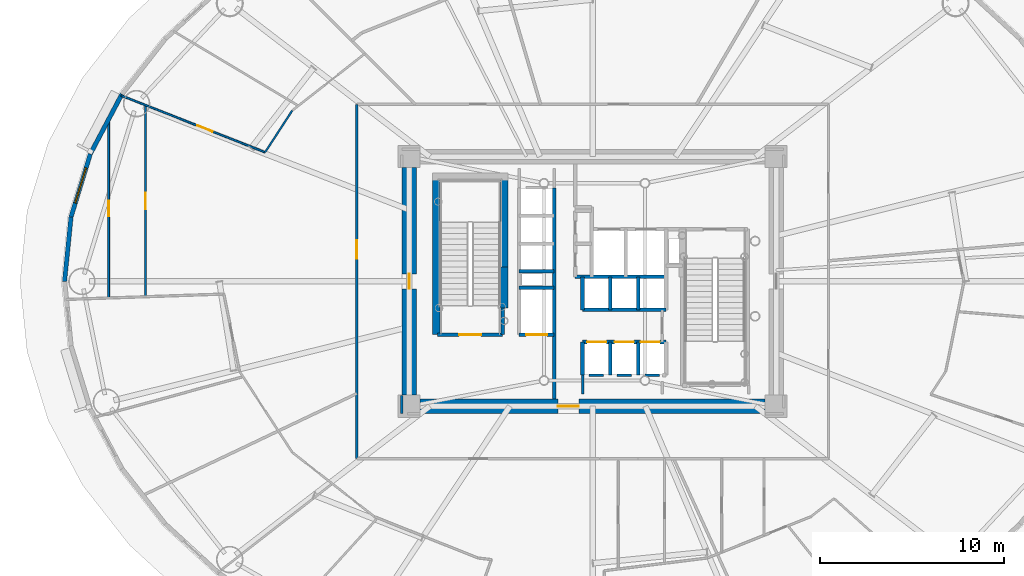
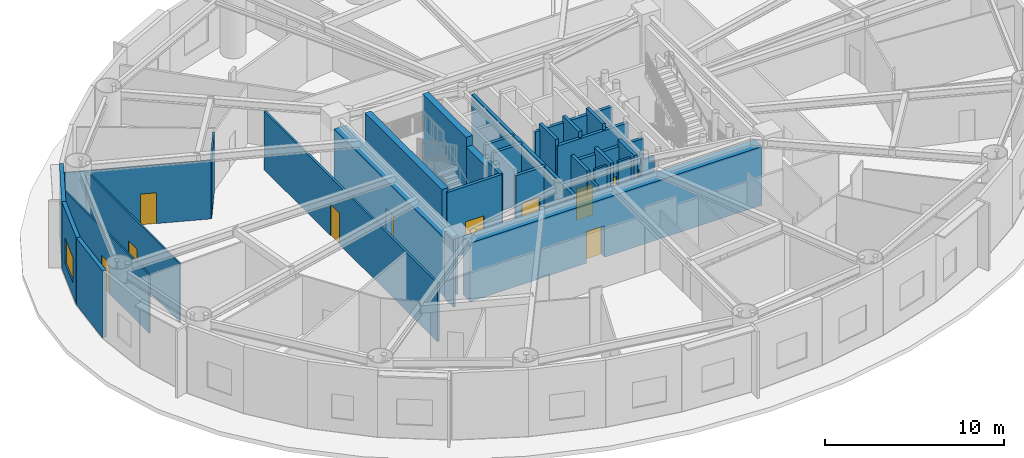
# One storey, part 10 of 19: 33 walls, 11 doors, 1 window, 12 openings.
"""IFC4 building model written with IfcOpenShell, lengths in metres."""

from ifc_helpers import new_model, si_unit, direction, frame, frame_2d, origin, origin_2d, place, context, subcontext, project, spatial, rectangle, extrude, source, transform, mapped, material, layer, layer_set, type_object, element, fill, save


model = new_model("IFC4")

# Units and contexts
model_context = context("Model", 3, precision=1e-05, world=origin(), true_north=direction((0.0, 1.0)))
body_context = subcontext(model_context, "Body", "Model", "MODEL_VIEW")
ifc_project = project(units=[si_unit("LENGTHUNIT", "METRE"), si_unit("AREAUNIT", "SQUARE_METRE"), si_unit("VOLUMEUNIT", "CUBIC_METRE"), si_unit("PLANEANGLEUNIT", "RADIAN"), si_unit("MASSUNIT", "GRAM", prefix="KILO")], contexts=[model_context])

# Site, building, storey
site_placement = place(None, origin())
site = spatial("IfcSite", under=ifc_project, at=site_placement, CompositionType="ELEMENT")
building_placement = place(site_placement, origin())
building = spatial("IfcBuilding", under=site, at=building_placement, Name="Linh Dai School and Residence Tower", CompositionType="ELEMENT")
storey_placement = place(building_placement, frame((0.0, 0.0, 92.39990234375)))
storey = spatial("IfcBuildingStorey", under=building, at=storey_placement, Name="L21", CompositionType="ELEMENT", Elevation=92.39990234375)

# Wall
ifc_material_1 = material(Name="Precast Concrete B45 (C35/45)", Category="concrete")
ifc_layer_1 = layer(ifc_material_1, 0.239990234375)
ifc_layer_set_1 = layer_set([ifc_layer_1], Name="Precast Concrete B45 (C35/45)")
wall_type_1 = type_object("IfcWallType", Name="EW-TC-240", PredefinedType="SOLIDWALL", material=ifc_layer_set_1)
wall_1_placement = place(storey_placement, frame((8.6298828125, 33.945068359375, 0.0), z_axis=(0.0, 0.0, 1.0), x_axis=(0.467614004126, 0.883932770716, 0.0)))
element("IfcWall", 1, at=wall_1_placement, inside=storey, type_object=wall_type_1, Name="L21 Terracotta Exterior Wall 18", PredefinedType="SOLIDWALL", context=body_context, shape_type="SweptSolid", body=[
    extrude(rectangle(XDim=3.688720703125, YDim=0.239990234375, at=frame_2d((1.84423828125, 0.0))), origin(), (0.0, 0.0, 1.0), 4.550048828125),
])

# Wall, opening, window
wall_2_placement = place(storey_placement, frame((7.578369140625, 30.515380859375, 0.0), z_axis=(0.0, 0.0, 1.0), x_axis=(0.293124431344, 0.956074300329, 0.0)))
wall_2 = element("IfcWall", 2, at=wall_2_placement, inside=storey, type_object=wall_type_1, Name="L21 Terracotta Exterior Wall 19", PredefinedType="SOLIDWALL", context=body_context, shape_type="SweptSolid", body=[
    extrude(rectangle(XDim=3.587158203125, YDim=0.239990234375, at=frame_2d((1.79345703125, 0.0))), origin(), (0.0, 0.0, 1.0), 4.550048828125),
])
opening_1_placement = place(wall_2_placement, frame((0.793701171875, 0.0, 0.89990234375)))
opening_1 = element("IfcOpeningElement", 3, at=opening_1_placement, cuts=wall_2, Name="Opening W1", PredefinedType="OPENING", context=body_context, shape_type="SweptSolid", body=[
    extrude(rectangle(XDim=2.0, YDim=1.75, at=origin_2d()), frame((1.0, 0.1298828125, 0.875), z_axis=(0.0, -1.0, 0.0), x_axis=(1.0, 0.0, 0.0)), (0.0, 0.0, 1.0), 0.260009765625),
])
ifc_material_2 = material(Name="Double Low-E Insulated Glazing", Category="glass")
window_type = type_object("IfcWindowType", Name="WN-RES-2000x1750", PartitioningType="DOUBLE_PANEL_VERTICAL", PredefinedType="WINDOW", material=ifc_material_2)
shared_shape_1 = source(origin(), body_context, "Body", "SweptSolid", [
    extrude(rectangle(XDim=2.0, YDim=1.75, at=origin_2d()), frame((1.0, 0.030029296875, 0.875), z_axis=(0.0, -1.0, 0.0), x_axis=(1.0, 0.0, 0.0)), (0.0, 0.0, 1.0), 0.06005859375),
])
window_placement = place(opening_1_placement, origin())
window = element("IfcWindow", 4, at=window_placement, inside=storey, type_object=window_type, Name="L21 Exterior Window 19.1", OverallHeight=1.75, OverallWidth=2.0, PartitioningType="DOUBLE_PANEL_VERTICAL", PredefinedType="WINDOW", context=body_context, shape_type="MappedRepresentation", body=[
    mapped(shared_shape_1, transform((0.0, 0.0, 0.0), x_axis=(1.0, 0.0, 0.0), y_axis=(0.0, 1.0, 0.0), z_axis=(0.0, 0.0, 1.0), scale=1.0)),
])
fill(opening_1, window)

# Wall
wall_3_placement = place(storey_placement, frame((7.22509765625, 27.0, 0.0), z_axis=(0.0, 0.0, 1.0), x_axis=(0.099989468229, 0.994988495533, 0.0)))
element("IfcWall", 5, at=wall_3_placement, inside=storey, type_object=wall_type_1, Name="L21 Terracotta Exterior Wall 20", PredefinedType="SOLIDWALL", context=body_context, shape_type="SweptSolid", body=[
    extrude(rectangle(XDim=3.533203125, YDim=0.239990234375, at=frame_2d((1.7666015625, 0.0))), origin(), (0.0, 0.0, 1.0), 4.550048828125),
])

# Wall, opening, door
ifc_material_3 = material(Name="Autoclaved Aerated Concrete Blockwork", Category="masonry")
ifc_layer_2 = layer(ifc_material_3, 0.135009765625)
ifc_layer_set_2 = layer_set([ifc_layer_2], Name="Autoclaved Aerated Concrete Blockwork")
wall_type_2 = type_object("IfcWallType", Name="IW-CORR-135-EI90", PredefinedType="PARTITIONING", material=ifc_layer_set_2)
wall_4_placement = place(storey_placement, frame((23.14990234375, 17.35009765625, 0.0), z_axis=(0.0, 0.0, 1.0), x_axis=(0.0, 1.0, 0.0)))
wall_4 = element("IfcWall", 6, at=wall_4_placement, inside=storey, type_object=wall_type_2, Name="L21 Interior Partition Wall 017", PredefinedType="PARTITIONING", context=body_context, shape_type="SweptSolid", body=[
    extrude(rectangle(XDim=19.2998046875, YDim=0.135009765625, at=frame_2d((9.64990234375, 0.0))), origin(), (0.0, 0.0, 1.0), 3.985107421875),
])
opening_2_placement = place(wall_4_placement, frame((10.89892578125, 0.0, 0.0)))
opening_2 = element("IfcOpeningElement", 7, at=opening_2_placement, cuts=wall_4, Name="Opening D03", PredefinedType="OPENING", context=body_context, shape_type="SweptSolid", body=[
    extrude(rectangle(XDim=1.0, YDim=2.14990234375, at=origin_2d()), frame((0.5, 0.07763671875, 1.074951171875), z_axis=(0.0, -1.0, 0.0), x_axis=(1.0, 0.0, 0.0)), (0.0, 0.0, 1.0), 0.155029296875),
])
ifc_material_4 = material(Name="Fire-Rated Solid Timber Entrance Door", Category="wood")
door_type_1 = type_object("IfcDoorType", Name="DR-FLAT-1000x2150-FD60S", OperationType="NOTDEFINED", PredefinedType="DOOR", material=ifc_material_4)
shared_shape_2 = source(origin(), body_context, "Body", "SweptSolid", [
    extrude(rectangle(XDim=1.0, YDim=2.14990234375, at=origin_2d()), frame((0.5, 0.02490234375, 1.074951171875), z_axis=(0.0, -1.0, 0.0), x_axis=(1.0, 0.0, 0.0)), (0.0, 0.0, 1.0), 0.050048828125),
])
door_1_placement = place(opening_2_placement, origin())
door_1 = element("IfcDoor", 8, at=door_1_placement, inside=storey, type_object=door_type_1, Name="L21 U2101 Apartment Entrance Door", OperationType="SINGLE_SWING_RIGHT", OverallHeight=2.14990234375, OverallWidth=1.0, PredefinedType="DOOR", context=body_context, shape_type="MappedRepresentation", body=[
    mapped(shared_shape_2, transform((0.0, 0.0, 0.0), x_axis=(1.0, 0.0, 0.0), y_axis=(0.0, 1.0, 0.0), z_axis=(0.0, 0.0, 1.0), scale=1.0)),
])
fill(opening_2, door_1)

# Walls
wall_5_placement = place(storey_placement, frame((36.60009765625, 21.89990234375, 0.0), z_axis=(0.0, 0.0, 1.0), x_axis=(-1.0, 0.0, 0.0)))
element("IfcWall", 9, at=wall_5_placement, inside=storey, type_object=wall_type_2, Name="L21 Interior Partition Wall 081", PredefinedType="PARTITIONING", context=body_context, shape_type="SweptSolid", body=[
    extrude(rectangle(XDim=0.7900390625, YDim=0.135009765625, at=frame_2d((0.39501953125, 0.0))), origin(), (0.0, 0.0, 1.0), 4.550048828125),
])
wall_6_placement = place(storey_placement, frame((38.1201171875, 21.89990234375, 0.0), z_axis=(0.0, 0.0, 1.0), x_axis=(-1.0, 0.0, 0.0)))
element("IfcWall", 10, at=wall_6_placement, inside=storey, type_object=wall_type_2, Name="L21 Interior Partition Wall 082", PredefinedType="PARTITIONING", context=body_context, shape_type="SweptSolid", body=[
    extrude(rectangle(XDim=0.800048828125, YDim=0.135009765625, at=frame_2d((0.39990234375, 0.0))), origin(), (0.0, 0.0, 1.0), 4.550048828125),
])
wall_7_placement = place(storey_placement, frame((39.639892578125, 21.89990234375, 0.0), z_axis=(0.0, 0.0, 1.0), x_axis=(-1.0, 0.0, 0.0)))
element("IfcWall", 11, at=wall_7_placement, inside=storey, type_object=wall_type_2, Name="L21 Interior Partition Wall 083", PredefinedType="PARTITIONING", context=body_context, shape_type="SweptSolid", body=[
    extrude(rectangle(XDim=0.7998046875, YDim=0.135009765625, at=frame_2d((0.39990234375, 0.0))), origin(), (0.0, 0.0, 1.0), 4.135009765625),
])
wall_8_placement = place(storey_placement, frame((35.449951171875, 21.889892578125, 0.0), z_axis=(0.0, 0.0, 1.0), x_axis=(0.0, -1.0, 0.0)))
element("IfcWall", 12, at=wall_8_placement, inside=storey, type_object=wall_type_2, Name="L21 Interior Partition Wall 088", PredefinedType="PARTITIONING", context=body_context, shape_type="SweptSolid", body=[
    extrude(rectangle(XDim=1.02978515625, YDim=0.135009765625, at=frame_2d((0.514892578125, 0.0))), origin(), (0.0, 0.0, 1.0), 4.135009765625),
])
wall_9_placement = place(storey_placement, frame((25.60009765625, 20.7900390625, 0.0), z_axis=(0.0, 0.0, 1.0), x_axis=(0.0, -1.0, 0.0)))
element("IfcWall", 13, at=wall_9_placement, inside=storey, type_object=wall_type_2, Name="L21 Interior Partition Wall 094", PredefinedType="PARTITIONING", context=body_context, shape_type="SweptSolid", body=[
    extrude(rectangle(XDim=0.989990234375, YDim=0.135009765625, at=frame_2d((0.4951171875, 0.0))), origin(), (0.0, 0.0, 1.0), 4.550048828125),
])

# Wall, opening, door
ifc_material_5 = material(Name="Concrete B45 (C35/45)", Category="concrete")
ifc_layer_3 = layer(ifc_material_5, 0.199951171875)
ifc_layer_set_3 = layer_set([ifc_layer_3], Name="Concrete B45 (C35/45)")
wall_type_3 = type_object("IfcWallType", Name="IW-SHAFT-200-EI120", PredefinedType="PARTITIONING", material=ifc_layer_set_3)
wall_10_placement = place(storey_placement, frame((27.56005859375, 24.10009765625, 0.0), z_axis=(0.0, 0.0, 1.0), x_axis=(1.0, 0.0, 0.0)))
wall_10 = element("IfcWall", 14, at=wall_10_placement, inside=storey, type_object=wall_type_3, Name="L21 Interior Partition Wall 022", PredefinedType="PARTITIONING", context=body_context, shape_type="SweptSolid", body=[
    extrude(rectangle(XDim=3.5400390625, YDim=0.199951171875, at=frame_2d((1.77001953125, 0.0))), origin(), (0.0, 0.0, 1.0), 4.550048828125),
])
opening_3_placement = place(wall_10_placement, frame((1.169921875, 0.0, 0.0)))
opening_3 = element("IfcOpeningElement", 15, at=opening_3_placement, cuts=wall_10, Name="Opening D01", PredefinedType="OPENING", context=body_context, shape_type="SweptSolid", body=[
    extrude(rectangle(XDim=1.199951171875, YDim=2.14990234375, at=origin_2d()), frame((0.60009765625, 0.10986328125, 1.074951171875), z_axis=(0.0, -1.0, 0.0), x_axis=(1.0, 0.0, 0.0)), (0.0, 0.0, 1.0), 0.219970703125),
])
ifc_material_6 = material(Name="Fire-Rated Steel Door Leaf", Category="steel")
door_type_2 = type_object("IfcDoorType", Name="DR-STAIR-1200x2150-FD90S", OperationType="NOTDEFINED", PredefinedType="DOOR", material=ifc_material_6)
shared_shape_3 = source(origin(), body_context, "Body", "SweptSolid", [
    extrude(rectangle(XDim=1.199951171875, YDim=2.14990234375, at=origin_2d()), frame((0.60009765625, 0.02490234375, 1.074951171875), z_axis=(0.0, -1.0, 0.0), x_axis=(1.0, 0.0, 0.0)), (0.0, 0.0, 1.0), 0.050048828125),
])
door_2_placement = place(opening_3_placement, origin())
door_2 = element("IfcDoor", 16, at=door_2_placement, inside=storey, type_object=door_type_2, Name="L21 Core Smokeproof Exit Stair ST1 Door", OperationType="SINGLE_SWING_RIGHT", OverallHeight=2.14990234375, OverallWidth=1.199951171875, PredefinedType="DOOR", context=body_context, shape_type="MappedRepresentation", body=[
    mapped(shared_shape_3, transform((0.0, 0.0, 0.0), x_axis=(1.0, 0.0, 0.0), y_axis=(0.0, 1.0, 0.0), z_axis=(0.0, 0.0, 1.0), scale=1.0)),
])
fill(opening_3, door_2)

# Wall
wall_11_placement = place(storey_placement, frame((31.10009765625, 24.10009765625, 0.0), z_axis=(0.0, 0.0, 1.0), x_axis=(0.0, 1.0, 0.0)))
element("IfcWall", 17, at=wall_11_placement, inside=storey, type_object=wall_type_3, Name="L21 Interior Partition Wall 027", PredefinedType="PARTITIONING", context=body_context, shape_type="SweptSolid", body=[
    extrude(rectangle(XDim=1.43994140625, YDim=0.199951171875, at=frame_2d((0.719970703125, 0.0))), origin(), (0.0, 0.0, 1.0), 4.550048828125),
])

# Wall, opening, door
wall_12_placement = place(storey_placement, frame((32.0, 24.10009765625, 0.0), z_axis=(0.0, 0.0, 1.0), x_axis=(1.0, 0.0, 0.0)))
wall_12 = element("IfcWall", 18, at=wall_12_placement, inside=storey, type_object=wall_type_3, Name="L21 Interior Partition Wall 029", PredefinedType="PARTITIONING", context=body_context, shape_type="SweptSolid", body=[
    extrude(rectangle(XDim=1.89990234375, YDim=0.199951171875, at=frame_2d((0.949951171875, 0.0))), origin(), (0.0, 0.0, 1.0), 4.135009765625),
])
opening_4_placement = place(wall_12_placement, frame((0.375, 0.0, 0.0)))
opening_4 = element("IfcOpeningElement", 19, at=opening_4_placement, cuts=wall_12, Name="Opening LD-FF2", PredefinedType="OPENING", context=body_context, shape_type="SweptSolid", body=[
    extrude(rectangle(XDim=1.14990234375, YDim=2.14990234375, at=origin_2d()), frame((0.574951171875, 0.10986328125, 1.074951171875), z_axis=(0.0, -1.0, 0.0), x_axis=(1.0, 0.0, 0.0)), (0.0, 0.0, 1.0), 0.219970703125),
])
ifc_material_7 = material(Name="Fire-Rated Stainless Steel Firefighting Lift Door", Category="steel")
door_type_3 = type_object("IfcDoorType", Name="DR-LD-FF-1150x2150-FD120", OperationType="DOUBLE_DOOR_SLIDING", PredefinedType="USERDEFINED", material=ifc_material_7)
shared_shape_4 = source(origin(), body_context, "Body", "SweptSolid", [
    extrude(rectangle(XDim=1.14990234375, YDim=2.14990234375, at=origin_2d()), frame((0.574951171875, 0.02490234375, 1.074951171875), z_axis=(0.0, -1.0, 0.0), x_axis=(1.0, 0.0, 0.0)), (0.0, 0.0, 1.0), 0.050048828125),
])
door_3_placement = place(opening_4_placement, origin())
door_3 = element("IfcDoor", 20, at=door_3_placement, inside=storey, type_object=door_type_3, Name="L21 Lift FF2 Sliding Landing Door", ObjectType="LANDING DOOR", OperationType="DOUBLE_DOOR_SLIDING", OverallHeight=2.14990234375, OverallWidth=1.14990234375, PredefinedType="USERDEFINED", context=body_context, shape_type="MappedRepresentation", body=[
    mapped(shared_shape_4, transform((0.0, 0.0, 0.0), x_axis=(1.0, 0.0, 0.0), y_axis=(0.0, 1.0, 0.0), z_axis=(0.0, 0.0, 1.0), scale=1.0)),
])
fill(opening_4, door_3)

# Walls
for number, where, z_axis, x_axis, name in (
    (21, (32.0, 26.64990234375, 0.0), (0.0, 0.0, 1.0), (1.0, 0.0, 0.0), "L21 Interior Partition Wall 030"),
    (22, (32.0, 27.550048828125, 0.0), (0.0, 0.0, 1.0), (1.0, 0.0, 0.0), "L21 Interior Partition Wall 031"),
):
    element("IfcWall", number, at=place(storey_placement, frame(where, z_axis=z_axis, x_axis=x_axis)), inside=storey, type_object=wall_type_3, Name=name, PredefinedType="PARTITIONING", context=body_context, shape_type="SweptSolid", body=[
        extrude(rectangle(XDim=1.89990234375, YDim=0.199951171875, at=frame_2d((0.949951171875, 0.0))), origin(), (0.0, 0.0, 1.0), 4.135009765625),
    ])
wall_13_placement = place(storey_placement, frame((33.89990234375, 20.60009765625, 0.0), z_axis=(0.0, 0.0, 1.0), x_axis=(0.0, 1.0, 0.0)))
element("IfcWall", 23, at=wall_13_placement, inside=storey, type_object=wall_type_3, Name="L21 Interior Partition Wall 034", PredefinedType="PARTITIONING", context=body_context, shape_type="SweptSolid", body=[
    extrude(rectangle(XDim=11.5, YDim=0.199951171875, at=frame_2d((5.75, 0.0))), origin(), (0.0, 0.0, 1.0), 4.135009765625),
])
wall_14_placement = place(storey_placement, frame((35.050048828125, 27.25, 0.0), z_axis=(0.0, 0.0, 1.0), x_axis=(1.0, 0.0, 0.0)))
element("IfcWall", 24, at=wall_14_placement, inside=storey, type_object=wall_type_3, Name="L21 Interior Partition Wall 036", PredefinedType="PARTITIONING", context=body_context, shape_type="SweptSolid", body=[
    extrude(rectangle(XDim=4.949951171875, YDim=0.199951171875, at=frame_2d((2.47509765625, 0.0))), origin(), (0.0, 0.0, 1.0), 4.135009765625),
])
wall_15_placement = place(storey_placement, frame((35.449951171875, 21.89990234375, 0.0), z_axis=(0.0, 0.0, 1.0), x_axis=(0.0, 1.0, 0.0)))
element("IfcWall", 25, at=wall_15_placement, inside=storey, type_object=wall_type_3, Name="L21 Interior Partition Wall 041", PredefinedType="PARTITIONING", context=body_context, shape_type="SweptSolid", body=[
    extrude(rectangle(XDim=1.800048828125, YDim=0.199951171875, at=frame_2d((0.89990234375, 0.0))), origin(), (0.0, 0.0, 1.0), 4.550048828125),
])

# Wall, openings, doors
wall_16_placement = place(storey_placement, frame((35.449951171875, 23.699951171875, 0.0), z_axis=(0.0, 0.0, 1.0), x_axis=(1.0, 0.0, 0.0)))
wall_16 = element("IfcWall", 26, at=wall_16_placement, inside=storey, type_object=wall_type_3, Name="L21 Interior Partition Wall 042", PredefinedType="PARTITIONING", context=body_context, shape_type="SweptSolid", body=[
    extrude(rectangle(XDim=4.550048828125, YDim=0.199951171875, at=frame_2d((2.27490234375, 0.0))), origin(), (0.0, 0.0, 1.0), 4.135009765625),
])
opening_5_placement = place(wall_16_placement, frame((0.25, 0.0, 0.0)))
opening_5 = element("IfcOpeningElement", 27, at=opening_5_placement, cuts=wall_16, Name="Opening LD-PL1", PredefinedType="OPENING", context=body_context, shape_type="SweptSolid", body=[
    extrude(rectangle(XDim=1.050048828125, YDim=2.14990234375, at=origin_2d()), frame((0.52490234375, 0.10986328125, 1.074951171875), z_axis=(0.0, -1.0, 0.0), x_axis=(1.0, 0.0, 0.0)), (0.0, 0.0, 1.0), 0.219970703125),
])
opening_6_placement = place(wall_16_placement, frame((1.7451171875, 0.0, 0.0)))
opening_6 = element("IfcOpeningElement", 28, at=opening_6_placement, cuts=wall_16, Name="Opening LD-PL2", PredefinedType="OPENING", context=body_context, shape_type="SweptSolid", body=[
    extrude(rectangle(XDim=1.050048828125, YDim=2.14990234375, at=origin_2d()), frame((0.52490234375, 0.10986328125, 1.074951171875), z_axis=(0.0, -1.0, 0.0), x_axis=(1.0, 0.0, 0.0)), (0.0, 0.0, 1.0), 0.219970703125),
])
opening_7_placement = place(wall_16_placement, frame((3.1650390625, 0.0, 0.0)))
opening_7 = element("IfcOpeningElement", 29, at=opening_7_placement, cuts=wall_16, Name="Opening LD-PL3", PredefinedType="OPENING", context=body_context, shape_type="SweptSolid", body=[
    extrude(rectangle(XDim=1.050048828125, YDim=2.14990234375, at=origin_2d()), frame((0.52490234375, 0.10986328125, 1.074951171875), z_axis=(0.0, -1.0, 0.0), x_axis=(1.0, 0.0, 0.0)), (0.0, 0.0, 1.0), 0.219970703125),
])
ifc_material_8 = material(Name="Brushed Stainless Steel Lift Landing Door", Category="steel")
door_type_4 = type_object("IfcDoorType", Name="DR-LD-PASS-1050x2150", OperationType="DOUBLE_DOOR_SLIDING", PredefinedType="USERDEFINED", material=ifc_material_8)
shared_shape_5 = source(origin(), body_context, "Body", "SweptSolid", [
    extrude(rectangle(XDim=1.050048828125, YDim=2.14990234375, at=origin_2d()), frame((0.52490234375, 0.02490234375, 1.074951171875), z_axis=(0.0, -1.0, 0.0), x_axis=(1.0, 0.0, 0.0)), (0.0, 0.0, 1.0), 0.050048828125),
])
door_4_placement = place(opening_5_placement, origin())
door_4 = element("IfcDoor", 30, at=door_4_placement, inside=storey, type_object=door_type_4, Name="L21 Lift PL1 Sliding Landing Door", ObjectType="LANDING DOOR", OperationType="DOUBLE_DOOR_SLIDING", OverallHeight=2.14990234375, OverallWidth=1.050048828125, PredefinedType="USERDEFINED", context=body_context, shape_type="MappedRepresentation", body=[
    mapped(shared_shape_5, transform((0.0, 0.0, 0.0), x_axis=(1.0, 0.0, 0.0), y_axis=(0.0, 1.0, 0.0), z_axis=(0.0, 0.0, 1.0), scale=1.0)),
])
fill(opening_5, door_4)
door_5_placement = place(opening_6_placement, origin())
door_5 = element("IfcDoor", 31, at=door_5_placement, inside=storey, type_object=door_type_4, Name="L21 Lift PL2 Sliding Landing Door", ObjectType="LANDING DOOR", OperationType="DOUBLE_DOOR_SLIDING", OverallHeight=2.14990234375, OverallWidth=1.050048828125, PredefinedType="USERDEFINED", context=body_context, shape_type="MappedRepresentation", body=[
    mapped(shared_shape_5, transform((0.0, 0.0, 0.0), x_axis=(1.0, 0.0, 0.0), y_axis=(0.0, 1.0, 0.0), z_axis=(0.0, 0.0, 1.0), scale=1.0)),
])
fill(opening_6, door_5)
door_6_placement = place(opening_7_placement, origin())
door_6 = element("IfcDoor", 32, at=door_6_placement, inside=storey, type_object=door_type_4, Name="L21 Lift PL3 Sliding Landing Door", ObjectType="LANDING DOOR", OperationType="DOUBLE_DOOR_SLIDING", OverallHeight=2.14990234375, OverallWidth=1.050048828125, PredefinedType="USERDEFINED", context=body_context, shape_type="MappedRepresentation", body=[
    mapped(shared_shape_5, transform((0.0, 0.0, 0.0), x_axis=(1.0, 0.0, 0.0), y_axis=(0.0, 1.0, 0.0), z_axis=(0.0, 0.0, 1.0), scale=1.0)),
])
fill(opening_7, door_6)

# Walls
wall_17_placement = place(storey_placement, frame((35.449951171875, 25.449951171875, 0.0), z_axis=(0.0, 0.0, 1.0), x_axis=(0.0, 1.0, 0.0)))
element("IfcWall", 33, at=wall_17_placement, inside=storey, type_object=wall_type_3, Name="L21 Interior Partition Wall 043", PredefinedType="PARTITIONING", context=body_context, shape_type="SweptSolid", body=[
    extrude(rectangle(XDim=1.800048828125, YDim=0.199951171875, at=frame_2d((0.89990234375, 0.0))), origin(), (0.0, 0.0, 1.0), 4.550048828125),
])
wall_18_placement = place(storey_placement, frame((35.449951171875, 25.449951171875, 0.0), z_axis=(0.0, 0.0, 1.0), x_axis=(1.0, 0.0, 0.0)))
element("IfcWall", 34, at=wall_18_placement, inside=storey, type_object=wall_type_3, Name="L21 Interior Partition Wall 044", PredefinedType="PARTITIONING", context=body_context, shape_type="SweptSolid", body=[
    extrude(rectangle(XDim=4.550048828125, YDim=0.199951171875, at=frame_2d((2.27490234375, 0.0))), origin(), (0.0, 0.0, 1.0), 4.135009765625),
])
for number, where, z_axis, x_axis, name in (
    (35, (36.9599609375, 21.89990234375, 0.0), (0.0, 0.0, 1.0), (0.0, 1.0, 0.0), "L21 Interior Partition Wall 049"),
    (36, (36.9599609375, 25.449951171875, 0.0), (0.0, 0.0, 1.0), (0.0, 1.0, 0.0), "L21 Interior Partition Wall 050"),
    (37, (38.47998046875, 21.89990234375, 0.0), (0.0, 0.0, 1.0), (0.0, 1.0, 0.0), "L21 Interior Partition Wall 054"),
    (38, (38.47998046875, 25.449951171875, 0.0), (0.0, 0.0, 1.0), (0.0, 1.0, 0.0), "L21 Interior Partition Wall 055"),
):
    element("IfcWall", number, at=place(storey_placement, frame(where, z_axis=z_axis, x_axis=x_axis)), inside=storey, type_object=wall_type_3, Name=name, PredefinedType="PARTITIONING", context=body_context, shape_type="SweptSolid", body=[
        extrude(rectangle(XDim=1.800048828125, YDim=0.199951171875, at=frame_2d((0.89990234375, 0.0))), origin(), (0.0, 0.0, 1.0), 4.550048828125),
    ])

# Wall, opening, door
ifc_material_9 = material(Name="Gypsum Plasterboard Acoustic Stud Partition", Category="masonry")
ifc_layer_4 = layer(ifc_material_9, 0.10009765625)
ifc_layer_set_4 = layer_set([ifc_layer_4], Name="Gypsum Plasterboard Acoustic Stud Partition")
wall_type_4 = type_object("IfcWallType", Name="IW-UNIT-100", PredefinedType="PARTITIONING", material=ifc_layer_set_4)
wall_19_placement = place(storey_placement, frame((9.6298828125, 26.098388671875, 0.0), z_axis=(0.0, 0.0, 1.0), x_axis=(0.0, 1.0, 0.0)))
wall_19 = element("IfcWall", 39, at=wall_19_placement, inside=storey, type_object=wall_type_4, Name="L21 Interior Partition Wall 003", PredefinedType="PARTITIONING", context=body_context, shape_type="SweptSolid", body=[
    extrude(rectangle(XDim=9.748046875, YDim=0.10009765625, at=frame_2d((4.8740234375, 0.0))), origin(), (0.0, 0.0, 1.0), 3.985107421875),
])
opening_8_placement = place(wall_19_placement, frame((4.464111328125, 0.0, 0.0)))
opening_8 = element("IfcOpeningElement", 40, at=opening_8_placement, cuts=wall_19, Name="Opening D06", PredefinedType="OPENING", context=body_context, shape_type="SweptSolid", body=[
    extrude(rectangle(XDim=0.820068359375, YDim=2.10009765625, at=origin_2d()), frame((0.41015625, 0.06005859375, 1.050048828125), z_axis=(0.0, -1.0, 0.0), x_axis=(1.0, 0.0, 0.0)), (0.0, 0.0, 1.0), 0.1201171875),
])
ifc_material_10 = material(Name="Moisture-Resistant Timber Bathroom Door", Category="wood")
door_type_5 = type_object("IfcDoorType", Name="DR-WET-820x2100", OperationType="NOTDEFINED", PredefinedType="DOOR", material=ifc_material_10)
shared_shape_6 = source(origin(), body_context, "Body", "SweptSolid", [
    extrude(rectangle(XDim=0.820068359375, YDim=2.10009765625, at=origin_2d()), frame((0.41015625, 0.02490234375, 1.050048828125), z_axis=(0.0, -1.0, 0.0), x_axis=(1.0, 0.0, 0.0)), (0.0, 0.0, 1.0), 0.050048828125),
])
door_7_placement = place(opening_8_placement, origin())
door_7 = element("IfcDoor", 41, at=door_7_placement, inside=storey, type_object=door_type_5, Name="L21 Apartment U2101 Bathroom 1 Door", OperationType="SINGLE_SWING_RIGHT", OverallHeight=2.10009765625, OverallWidth=0.820068359375, PredefinedType="DOOR", context=body_context, shape_type="MappedRepresentation", body=[
    mapped(shared_shape_6, transform((0.0, 0.0, 0.0), x_axis=(1.0, 0.0, 0.0), y_axis=(0.0, 1.0, 0.0), z_axis=(0.0, 0.0, 1.0), scale=1.0)),
])
fill(opening_8, door_7)

wall_20_placement = place(storey_placement, frame((10.309326171875, 37.130615234375, 0.0), z_axis=(0.0, 0.0, 1.0), x_axis=(0.930286568853, -0.366833613251, 0.0)))
wall_20 = element("IfcWall", 42, at=wall_20_placement, inside=storey, type_object=wall_type_4, Name="L21 Interior Partition Wall 004", PredefinedType="PARTITIONING", context=body_context, shape_type="SweptSolid", body=[
    extrude(rectangle(XDim=8.432373046875, YDim=0.10009765625, at=frame_2d((4.21630859375, 0.0))), origin(), (0.0, 0.0, 1.0), 3.985107421875),
])
opening_9_placement = place(wall_20_placement, frame((4.45947265625, 0.0, 0.0)))
opening_9 = element("IfcOpeningElement", 43, at=opening_9_placement, cuts=wall_20, Name="Opening D05", PredefinedType="OPENING", context=body_context, shape_type="SweptSolid", body=[
    extrude(rectangle(XDim=0.89990234375, YDim=2.10009765625, at=origin_2d()), frame((0.449951171875, 0.06005859375, 1.050048828125), z_axis=(0.0, -1.0, 0.0), x_axis=(1.0, 0.0, 0.0)), (0.0, 0.0, 1.0), 0.1201171875),
])
ifc_material_11 = material(Name="Engineered Timber Internal Door", Category="wood")
door_type_6 = type_object("IfcDoorType", Name="DR-INT-900x2100", OperationType="NOTDEFINED", PredefinedType="DOOR", material=ifc_material_11)
shared_shape_7 = source(origin(), body_context, "Body", "SweptSolid", [
    extrude(rectangle(XDim=0.89990234375, YDim=2.10009765625, at=origin_2d()), frame((0.449951171875, 0.02490234375, 1.050048828125), z_axis=(0.0, -1.0, 0.0), x_axis=(1.0, 0.0, 0.0)), (0.0, 0.0, 1.0), 0.050048828125),
])
door_8_placement = place(opening_9_placement, origin())
door_8 = element("IfcDoor", 44, at=door_8_placement, inside=storey, type_object=door_type_6, Name="L21 Apartment U2101 Study Door", OperationType="SINGLE_SWING_RIGHT", OverallHeight=2.10009765625, OverallWidth=0.89990234375, PredefinedType="DOOR", context=body_context, shape_type="MappedRepresentation", body=[
    mapped(shared_shape_7, transform((0.0, 0.0, 0.0), x_axis=(1.0, 0.0, 0.0), y_axis=(0.0, 1.0, 0.0), z_axis=(0.0, 0.0, 1.0), scale=1.0)),
])
fill(opening_9, door_8)

wall_21_placement = place(storey_placement, frame((11.636474609375, 26.1669921875, 0.0), z_axis=(0.0, 0.0, 1.0), x_axis=(0.0, 1.0, 0.0)))
wall_21 = element("IfcWall", 45, at=wall_21_placement, inside=storey, type_object=wall_type_4, Name="L21 Interior Partition Wall 006", PredefinedType="PARTITIONING", context=body_context, shape_type="SweptSolid", body=[
    extrude(rectangle(XDim=10.4404296875, YDim=0.10009765625, at=frame_2d((5.22021484375, 0.0))), origin(), (0.0, 0.0, 1.0), 3.985107421875),
])
opening_10_placement = place(wall_21_placement, frame((4.770263671875, 0.0, 0.0)))
opening_10 = element("IfcOpeningElement", 46, at=opening_10_placement, cuts=wall_21, Name="Opening D05", PredefinedType="OPENING", context=body_context, shape_type="SweptSolid", body=[
    extrude(rectangle(XDim=0.89990234375, YDim=2.10009765625, at=origin_2d()), frame((0.449951171875, 0.06005859375, 1.050048828125), z_axis=(0.0, -1.0, 0.0), x_axis=(1.0, 0.0, 0.0)), (0.0, 0.0, 1.0), 0.1201171875),
])
door_9_placement = place(opening_10_placement, origin())
door_9 = element("IfcDoor", 47, at=door_9_placement, inside=storey, type_object=door_type_6, Name="L21 Apartment U2101 Kitchen Door", OperationType="SINGLE_SWING_LEFT", OverallHeight=2.10009765625, OverallWidth=0.89990234375, PredefinedType="DOOR", context=body_context, shape_type="MappedRepresentation", body=[
    mapped(shared_shape_7, transform((0.0, 0.0, 0.0), x_axis=(1.0, 0.0, 0.0), y_axis=(0.0, 1.0, 0.0), z_axis=(0.0, 0.0, 1.0), scale=1.0)),
])
fill(opening_10, door_9)

# Walls
wall_22_placement = place(storey_placement, frame((18.154052734375, 34.037109375, 0.0), z_axis=(0.0, 0.0, 1.0), x_axis=(0.545361556746, 0.838200914115, 0.0)))
element("IfcWall", 48, at=wall_22_placement, inside=storey, type_object=wall_type_4, Name="L21 Interior Partition Wall 011", PredefinedType="PARTITIONING", context=body_context, shape_type="SweptSolid", body=[
    extrude(rectangle(XDim=2.712890625, YDim=0.10009765625, at=frame_2d((1.3564453125, 0.0))), origin(), (0.0, 0.0, 1.0), 3.985107421875),
])
ifc_layer_5 = layer(ifc_material_5, 0.39990234375)
ifc_layer_set_5 = layer_set([ifc_layer_5], Name="Concrete B45 (C35/45)")
wall_type_5 = type_object("IfcWallType", Name="WL-CORE400", PredefinedType="SHEAR", material=ifc_layer_set_5)
wall_23_placement = place(storey_placement, frame((27.47998046875, 24.10009765625, 0.0), z_axis=(0.0, 0.0, 1.0), x_axis=(0.0, 1.0, 0.0)))
element("IfcWall", 49, at=wall_23_placement, inside=storey, type_object=wall_type_5, Name="L21 Core Stair ST1 Bearing Wall W", PredefinedType="SHEAR", context=body_context, shape_type="SweptSolid", body=[
    extrude(rectangle(XDim=8.599853515625, YDim=0.39990234375, at=frame_2d((4.2998046875, 0.0))), origin(), (0.0, 0.0, 1.0), 4.800048828125),
])
wall_24_placement = place(storey_placement, frame((31.179931640625, 27.800048828125, 0.0), z_axis=(0.0, 0.0, 1.0), x_axis=(0.0, 1.0, 0.0)))
element("IfcWall", 50, at=wall_24_placement, inside=storey, type_object=wall_type_5, Name="L21 Core Stair ST1 Bearing Wall E", PredefinedType="SHEAR", context=body_context, shape_type="SweptSolid", body=[
    extrude(rectangle(XDim=4.89990234375, YDim=0.39990234375, at=frame_2d((2.449951171875, 0.0))), origin(), (0.0, 0.0, 1.0), 4.800048828125),
])
wall_25_placement = place(storey_placement, frame((31.179931640625, 25.550048828125, 0.0), z_axis=(0.0, 0.0, 1.0), x_axis=(0.0, 1.0, 0.0)))
element("IfcWall", 51, at=wall_25_placement, inside=storey, type_object=wall_type_5, Name="L21 Internal Core Shear Wall IW", PredefinedType="SHEAR", context=body_context, shape_type="SweptSolid", body=[
    extrude(rectangle(XDim=2.25, YDim=0.39990234375, at=frame_2d((1.125, 0.0))), origin(), (0.0, 0.0, 1.0), 4.150146484375),
])

# Wall, opening, door
ifc_material_12 = material(Name="Concrete B60 (C50/60)", Category="concrete")
ifc_layer_6 = layer(ifc_material_12, 0.800048828125)
ifc_layer_set_6 = layer_set([ifc_layer_6], Name="Concrete B60 (C50/60)")
wall_type_6 = type_object("IfcWallType", Name="WL-CORE800", PredefinedType="SHEAR", material=ifc_layer_set_6)
wall_26_placement = place(storey_placement, frame((45.39990234375, 20.199951171875, 0.0), z_axis=(0.0, 0.0, 1.0), x_axis=(-1.0, 0.0, 0.0)))
wall_26 = element("IfcWall", 52, at=wall_26_placement, inside=storey, type_object=wall_type_6, Name="L21 Central Core Shear Wall S", PredefinedType="SHEAR", context=body_context, shape_type="SweptSolid", body=[
    extrude(rectangle(XDim=18.7998046875, YDim=0.800048828125, at=frame_2d((9.39990234375, 0.0))), origin(), (0.0, 0.0, 1.0), 4.0),
])
opening_11_placement = place(wall_26_placement, frame((10.14990234375, 0.0, 0.0)))
opening_11 = element("IfcOpeningElement", 53, at=opening_11_placement, cuts=wall_26, Name="Opening D02", PredefinedType="OPENING", context=body_context, shape_type="SweptSolid", body=[
    extrude(rectangle(XDim=1.14990234375, YDim=2.14990234375, at=origin_2d()), frame((0.574951171875, 0.41015625, 1.074951171875), z_axis=(0.0, -1.0, 0.0), x_axis=(1.0, 0.0, 0.0)), (0.0, 0.0, 1.0), 0.820068359375),
])
ifc_material_13 = material(Name="Fire-Rated Glazed Steel Lobby Door", Category="steel")
door_type_7 = type_object("IfcDoorType", Name="DR-LOBBY-1150x2150-FD90S", OperationType="NOTDEFINED", PredefinedType="DOOR", material=ifc_material_13)
shared_shape_8 = source(origin(), body_context, "Body", "SweptSolid", [
    extrude(rectangle(XDim=1.14990234375, YDim=2.14990234375, at=origin_2d()), frame((0.574951171875, 0.02490234375, 1.074951171875), z_axis=(0.0, -1.0, 0.0), x_axis=(1.0, 0.0, 0.0)), (0.0, 0.0, 1.0), 0.050048828125),
])
door_10_placement = place(opening_11_placement, origin())
door_10 = element("IfcDoor", 54, at=door_10_placement, inside=storey, type_object=door_type_7, Name="L21 Passenger Foyer Access Door", OperationType="SINGLE_SWING_LEFT", OverallHeight=2.14990234375, OverallWidth=1.14990234375, PredefinedType="DOOR", context=body_context, shape_type="MappedRepresentation", body=[
    mapped(shared_shape_8, transform((0.0, 0.0, 0.0), x_axis=(1.0, 0.0, 0.0), y_axis=(0.0, 1.0, 0.0), z_axis=(0.0, 0.0, 1.0), scale=1.0)),
])
fill(opening_11, door_10)

wall_27_placement = place(storey_placement, frame((26.0, 20.800048828125, 0.0), z_axis=(0.0, 0.0, 1.0), x_axis=(0.0, 1.0, 0.0)))
wall_27 = element("IfcWall", 55, at=wall_27_placement, inside=storey, type_object=wall_type_6, Name="L21 Central Core Shear Wall W", PredefinedType="SHEAR", context=body_context, shape_type="SweptSolid", body=[
    extrude(rectangle(XDim=12.39990234375, YDim=0.800048828125, at=frame_2d((6.199951171875, 0.0))), origin(), (0.0, 0.0, 1.0), 4.0),
])
opening_12_placement = place(wall_27_placement, frame((5.7900390625, 0.0, 0.0)))
opening_12 = element("IfcOpeningElement", 56, at=opening_12_placement, cuts=wall_27, Name="Opening D06", PredefinedType="OPENING", context=body_context, shape_type="SweptSolid", body=[
    extrude(rectangle(XDim=0.820068359375, YDim=2.10009765625, at=origin_2d()), frame((0.41015625, 0.41015625, 1.050048828125), z_axis=(0.0, -1.0, 0.0), x_axis=(1.0, 0.0, 0.0)), (0.0, 0.0, 1.0), 0.820068359375),
])
door_11_placement = place(opening_12_placement, origin())
door_11 = element("IfcDoor", 57, at=door_11_placement, inside=storey, type_object=door_type_5, Name="L21 Firefighting Lobby Door", OperationType="SINGLE_SWING_LEFT", OverallHeight=2.10009765625, OverallWidth=0.820068359375, PredefinedType="DOOR", context=body_context, shape_type="MappedRepresentation", body=[
    mapped(shared_shape_6, transform((0.0, 0.0, 0.0), x_axis=(1.0, 0.0, 0.0), y_axis=(0.0, 1.0, 0.0), z_axis=(0.0, 0.0, 1.0), scale=1.0)),
])
fill(opening_12, door_11)

save(model, "model.ifc")
